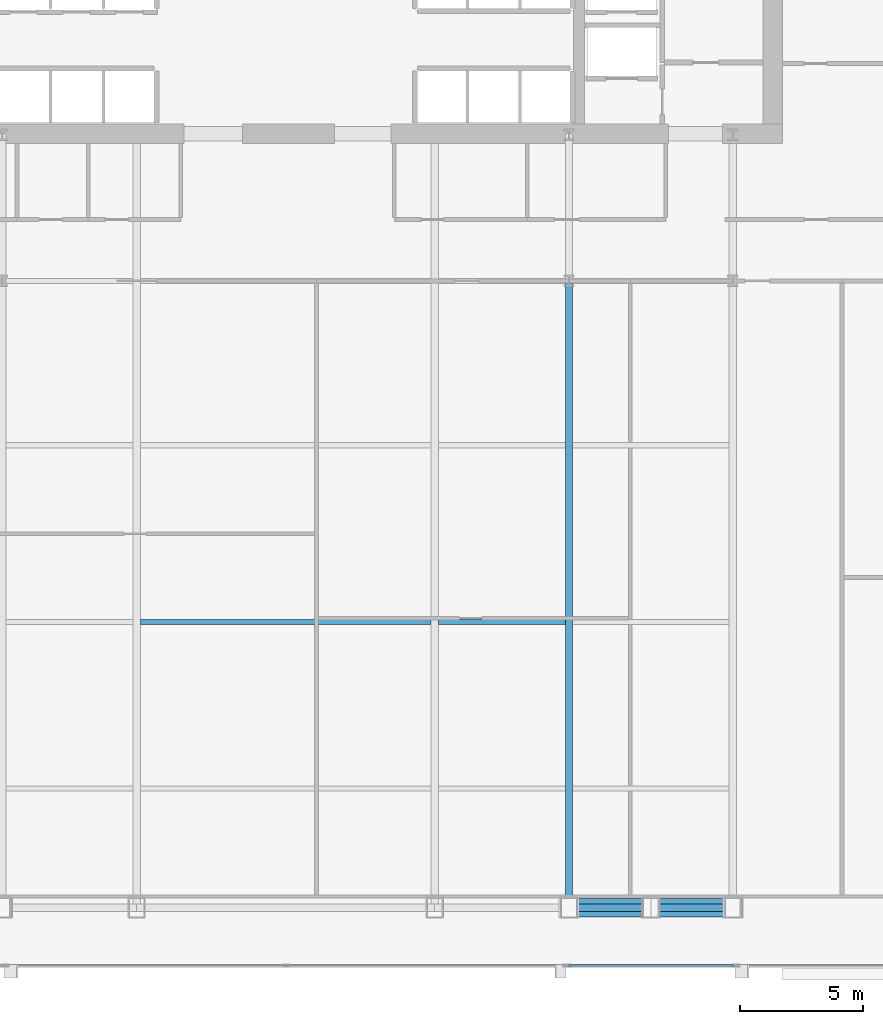
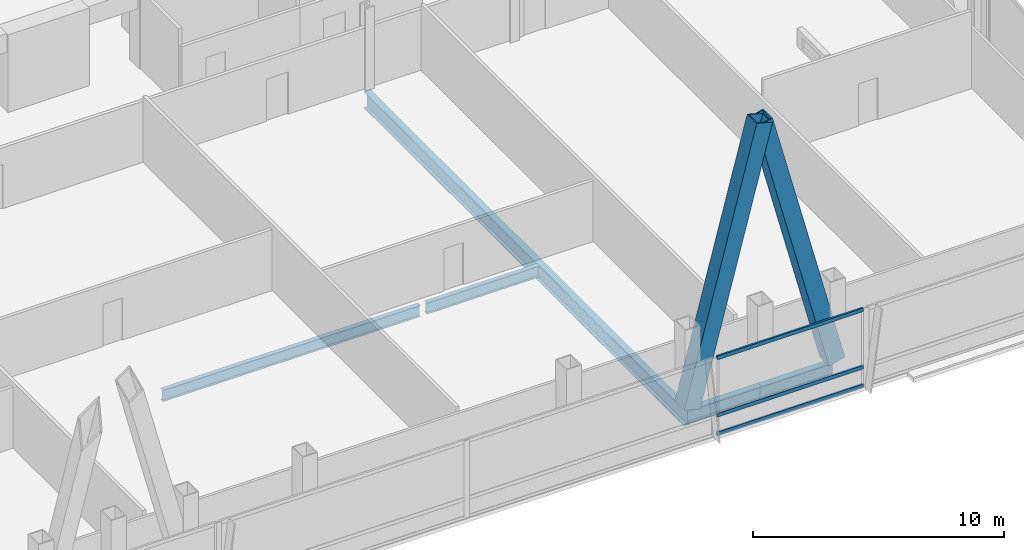
# One storey, part 13 of 32: 5 beams, 5 members, 1 element without a shape of its own.
"""IFC4 building model written with IfcOpenShell, lengths in metres."""

from ifc_helpers import new_model, si_unit, direction, frame, origin, origin_2d, place, context, subcontext, project, spatial, hollow_rectangle, i_section, extrude, material, material_profile, profile_set, type_object, element, aggregate, save


model = new_model("IFC4")

# Units and contexts
model_context = context("Model", 3, precision=1e-05, world=origin(), true_north=direction((0.0, 1.0)))
body_context = subcontext(model_context, "Body", "Model", "MODEL_VIEW")
ifc_project = project(units=[si_unit("LENGTHUNIT", "METRE"), si_unit("AREAUNIT", "SQUARE_METRE"), si_unit("VOLUMEUNIT", "CUBIC_METRE"), si_unit("PLANEANGLEUNIT", "RADIAN"), si_unit("MASSUNIT", "GRAM", prefix="KILO")], contexts=[model_context])

# Site, building, storey
site_placement = place(None, origin())
site = spatial("IfcSite", under=ifc_project, at=site_placement, CompositionType="ELEMENT")
building_placement = place(site_placement, origin())
building = spatial("IfcBuilding", under=site, at=building_placement, Name="Khoronbel Lancet Exchange", CompositionType="ELEMENT")
storey_placement = place(building_placement, frame((0.0, 0.0, 81.800048828125)))
storey = spatial("IfcBuildingStorey", under=building, at=storey_placement, Name="L19", CompositionType="ELEMENT", Elevation=81.800048828125)

# Beams
ifc_material_1 = material(Name="Steel S355", Category="steel")
ifc_material_profile_1 = material_profile(ifc_material_1, i_section(OverallWidth=0.300048828125, OverallDepth=0.800048828125, WebThickness=0.017578125, FlangeThickness=0.032958984375, at=origin_2d()), Name="HEB 800")
ifc_profile_set_1 = profile_set([ifc_material_profile_1], Name="Steel S355")
beam_type_1 = type_object("IfcBeamType", Name="BM-BG2", PredefinedType="BEAM", material=ifc_profile_set_1)
beam_1_placement = place(storey_placement, frame((48.0, 10.14990234375, -0.580078125), z_axis=(0.0, 1.0, 0.0), x_axis=(-1.0, 0.0, 0.0)))
element("IfcBeam", 1, at=beam_1_placement, inside=storey, type_object=beam_type_1, Name="Level L19 south primary girder GS5", PredefinedType="BEAM", context=body_context, shape_type="SweptSolid", body=[
    extrude(i_section(OverallWidth=0.300048828125, OverallDepth=0.800048828125, WebThickness=0.017578125, FlangeThickness=0.032958984375, at=origin_2d()), origin(), (0.0, 0.0, 1.0), 25.550048828125),
])
ifc_material_profile_2 = material_profile(ifc_material_1, i_section(OverallWidth=0.2099609375, OverallDepth=0.550048828125, WebThickness=0.010986328125, FlangeThickness=0.01708984375, at=origin_2d()), Name="IPE 550")
ifc_profile_set_2 = profile_set([ifc_material_profile_2], Name="Steel S355")
beam_type_2 = type_object("IfcBeamType", Name="BM-BJ2", PredefinedType="JOIST", material=ifc_profile_set_2)
beam_2_placement = place(storey_placement, frame((30.52490234375, 21.800048828125, -0.455078125), z_axis=(1.0, 0.0, 0.0), x_axis=(0.0, 1.0, 0.0)))
element("IfcBeam", 2, at=beam_2_placement, inside=storey, type_object=beam_type_2, Name="Level L19 secondary composite joist J08", PredefinedType="JOIST", context=body_context, shape_type="SweptSolid", body=[
    extrude(i_section(OverallWidth=0.2099609375, OverallDepth=0.550048828125, WebThickness=0.010986328125, FlangeThickness=0.01708984375, at=origin_2d()), origin(), (0.0, 0.0, 1.0), 11.85009765625),
])
beam_3_placement = place(storey_placement, frame((42.675048828125, 21.800048828125, -0.455078125), z_axis=(1.0, 0.0, 0.0), x_axis=(0.0, 1.0, 0.0)))
element("IfcBeam", 3, at=beam_3_placement, inside=storey, type_object=beam_type_2, Name="Level L19 secondary composite joist J09", PredefinedType="JOIST", context=body_context, shape_type="SweptSolid", body=[
    extrude(i_section(OverallWidth=0.2099609375, OverallDepth=0.550048828125, WebThickness=0.010986328125, FlangeThickness=0.01708984375, at=origin_2d()), origin(), (0.0, 0.0, 1.0), 5.175048828125),
])
ifc_material_profile_3 = material_profile(ifc_material_1, i_section(OverallWidth=0.300048828125, OverallDepth=0.64990234375, WebThickness=0.01611328125, FlangeThickness=0.031005859375, at=origin_2d()), Name="HEB 650")
ifc_profile_set_3 = profile_set([ifc_material_profile_3], Name="Steel S355")
beam_type_3 = type_object("IfcBeamType", Name="BM-BSP1", PredefinedType="SPANDREL", material=ifc_profile_set_3)
beam_4_placement = place(storey_placement, frame((48.0, 10.14990234375, -0.505126953125), z_axis=(1.0, 0.0, 0.0), x_axis=(0.0, 1.0, 0.0)))
element("IfcBeam", 4, at=beam_4_placement, inside=storey, type_object=beam_type_3, Name="Level L19 perimeter spandrel beam SP06", PredefinedType="SPANDREL", context=body_context, shape_type="SweptSolid", body=[
    extrude(i_section(OverallWidth=0.300048828125, OverallDepth=0.64990234375, WebThickness=0.01611328125, FlangeThickness=0.031005859375, at=origin_2d()), origin(), (0.0, 0.0, 1.0), 3.33740234375),
])
beam_5_placement = place(storey_placement, frame((51.33740234375, 10.14990234375, -0.505126953125), z_axis=(1.0, 0.0, 0.0), x_axis=(0.0, 1.0, 0.0)))
element("IfcBeam", 5, at=beam_5_placement, inside=storey, type_object=beam_type_3, Name="Level L19 perimeter spandrel beam SP07", PredefinedType="SPANDREL", context=body_context, shape_type="SweptSolid", body=[
    extrude(i_section(OverallWidth=0.300048828125, OverallDepth=0.64990234375, WebThickness=0.01611328125, FlangeThickness=0.031005859375, at=origin_2d()), origin(), (0.0, 0.0, 1.0), 3.337646484375),
])

# Curtain wall, members
ifc_material_2 = material(Name="Low-E Solar Control Insulating Glass", Category="glass")
curtain_wall_type = type_object("IfcCurtainWallType", Name="CW-2", PredefinedType="NOTDEFINED", material=ifc_material_2)
curtain_wall_placement = place(storey_placement, origin())
curtain_wall = element("IfcCurtainWall", 6, at=curtain_wall_placement, inside=storey, type_object=curtain_wall_type, Name="Unitised curtain wall CW-L19-SEB", PredefinedType="NOTDEFINED")
ifc_material_3 = material(Name="Bronze-Anodised Aluminium 6063-T6", Category="aluminium")
ifc_material_profile_4 = material_profile(ifc_material_3, hollow_rectangle(XDim=0.0849609375, YDim=0.179931640625, WallThickness=0.0048828125, at=origin_2d()), Name="ALU TRANSOM 85x180")
ifc_profile_set_4 = profile_set([ifc_material_profile_4], Name="Bronze-Anodised Aluminium 6063-T6")
member_type_1 = type_object("IfcMemberType", Name="MEM-CWT1", PredefinedType="USERDEFINED", material=ifc_profile_set_4)
member_1_placement = place(storey_placement, frame((47.985107421875, 7.7900390625, 0.04248046875), z_axis=(1.0, 0.0, 0.0), x_axis=(0.0, 1.0, 0.0)))
member_1 = element("IfcMember", 7, at=member_1_placement, type_object=member_type_1, Name="CW2 transom 1.1", ObjectType="TRANSOM", PredefinedType="USERDEFINED", context=body_context, shape_type="SweptSolid", body=[
    extrude(hollow_rectangle(XDim=0.0849609375, YDim=0.179931640625, WallThickness=0.0048828125, at=origin_2d()), origin(), (0.0, 0.0, 1.0), 6.72998046875),
])
member_2_placement = place(storey_placement, frame((47.985107421875, 7.7900390625, 0.949951171875), z_axis=(1.0, 0.0, 0.0), x_axis=(0.0, 1.0, 0.0)))
member_2 = element("IfcMember", 8, at=member_2_placement, type_object=member_type_1, Name="CW2 transom 1.2", ObjectType="TRANSOM", PredefinedType="USERDEFINED", context=body_context, shape_type="SweptSolid", body=[
    extrude(hollow_rectangle(XDim=0.0849609375, YDim=0.179931640625, WallThickness=0.0048828125, at=origin_2d()), origin(), (0.0, 0.0, 1.0), 6.72998046875),
])
member_3_placement = place(storey_placement, frame((47.985107421875, 7.7900390625, 3.737548828125), z_axis=(1.0, 0.0, 0.0), x_axis=(0.0, 1.0, 0.0)))
member_3 = element("IfcMember", 9, at=member_3_placement, type_object=member_type_1, Name="CW2 transom 1.3", ObjectType="TRANSOM", PredefinedType="USERDEFINED", context=body_context, shape_type="SweptSolid", body=[
    extrude(hollow_rectangle(XDim=0.0849609375, YDim=0.179931640625, WallThickness=0.0048828125, at=origin_2d()), origin(), (0.0, 0.0, 1.0), 6.72998046875),
])
aggregate(curtain_wall, [member_1, member_2, member_3])

# Members
ifc_material_4 = material(Name="Steel S460", Category="steel")
ifc_material_profile_5 = material_profile(ifc_material_4, hollow_rectangle(XDim=0.760009765625, YDim=0.760009765625, WallThickness=0.054931640625, at=origin_2d()), Name="BOX 760x760x55")
ifc_profile_set_5 = profile_set([ifc_material_profile_5], Name="Steel S460")
member_type_2 = type_object("IfcMemberType", Name="MEM-MB1", PredefinedType="BRACE", material=ifc_profile_set_5)
for number, where, z_axis, x_axis, name in (
    (10, (48.0, 10.14990234375, 0.0), (0.252298678365, 0.0, 0.967649408048), (0.0, 1.0, 0.0), "Perimeter lancet brace tier 6 S-E-L"),
    (11, (54.675048828125, 10.14990234375, 0.0), (-0.252315959788, 0.0, 0.967644902036), (0.0, -1.0, 0.0), "Perimeter lancet brace tier 6 S-E-R"),
):
    element("IfcMember", number, at=place(storey_placement, frame(where, z_axis=z_axis, x_axis=x_axis)), inside=storey, type_object=member_type_2, Name=name, PredefinedType="BRACE", context=body_context, shape_type="SweptSolid", body=[
        extrude(hollow_rectangle(XDim=0.760009765625, YDim=0.760009765625, WallThickness=0.054931640625, at=origin_2d()), origin(), (0.0, 0.0, 1.0), 13.22802734375),
    ])

save(model, "model.ifc")
